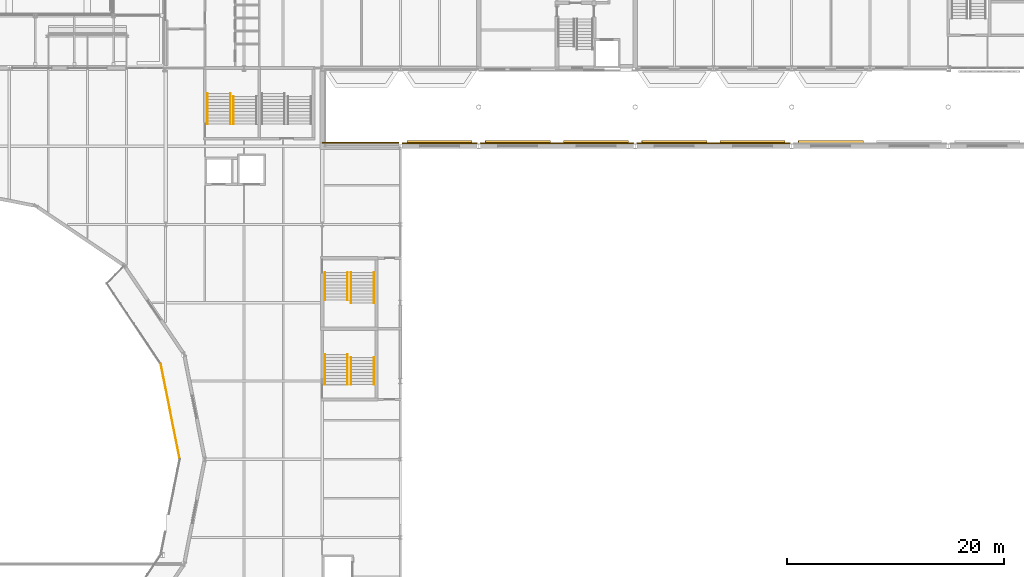
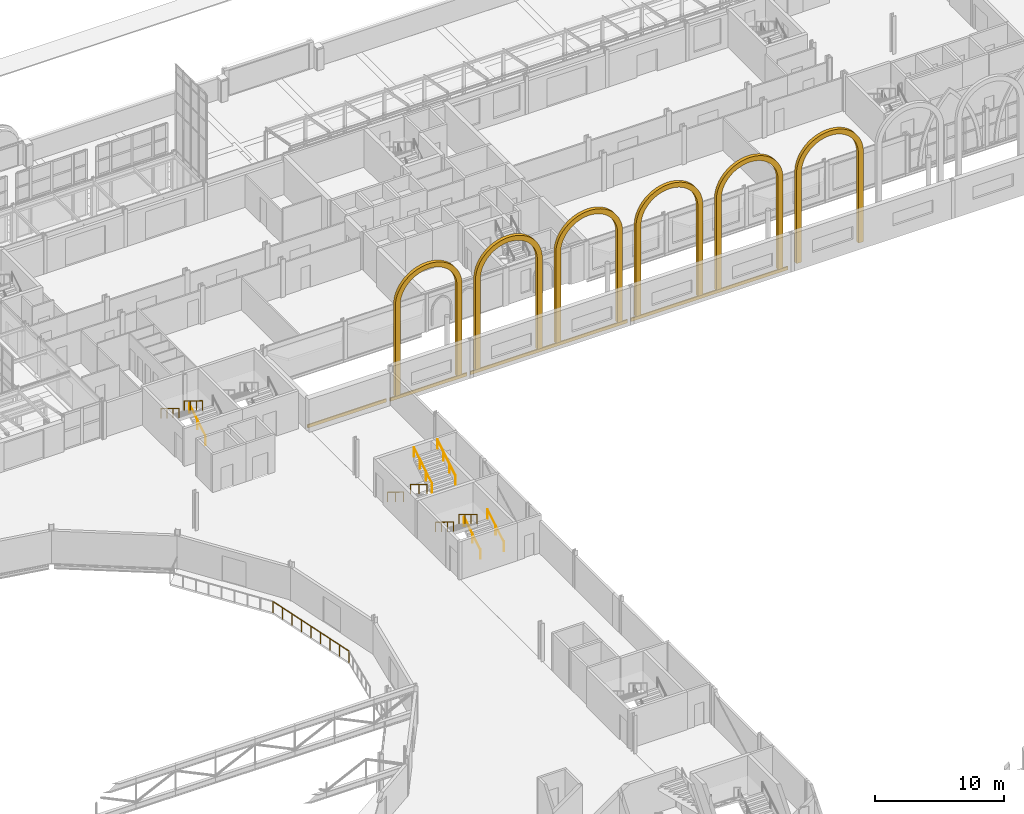
# One storey, part 117 of 143: 12 railings, 10 coverings.
"""IFC4 building model written with IfcOpenShell, lengths in metres."""

from ifc_helpers import new_model, si_unit, direction, frame, origin, origin_2d, place, context, subcontext, project, spatial, polyline, rectangle, circle, outline, extrude, material, layer, layer_set, type_object, element, save


model = new_model("IFC4")

# Units and contexts
model_context = context("Model", 3, precision=1e-05, world=origin(), true_north=direction((0.0, 1.0)))
body_context = subcontext(model_context, "Body", "Model", "MODEL_VIEW")
ifc_project = project(units=[si_unit("LENGTHUNIT", "METRE"), si_unit("AREAUNIT", "SQUARE_METRE"), si_unit("VOLUMEUNIT", "CUBIC_METRE"), si_unit("PLANEANGLEUNIT", "RADIAN"), si_unit("MASSUNIT", "GRAM", prefix="KILO")], contexts=[model_context])

# Site, building, storey
site_placement = place(None, origin())
site = spatial("IfcSite", under=ifc_project, at=site_placement, CompositionType="ELEMENT")
building_placement = place(site_placement, origin())
building = spatial("IfcBuilding", under=site, at=building_placement, Name="Kupolbacken Congress Centre", CompositionType="ELEMENT")
storey_placement = place(building_placement, frame((0.0, 0.0, 7.199951171875)))
storey = spatial("IfcBuildingStorey", under=building, at=storey_placement, Name="L02", CompositionType="ELEMENT", Elevation=7.199951171875)

# Coverings
ifc_material_1 = material(Name="Brick cladding", Category="masonry")
ifc_layer_1 = layer(ifc_material_1, 0.10791015625)
ifc_layer_set_1 = layer_set([ifc_layer_1], Name="Brick cladding")
covering_type_1 = type_object("IfcCoveringType", Name="CV2 brick cladding band 108", PredefinedType="CLADDING", material=ifc_layer_set_1)
for number, where, z_axis, x_axis, name in (
    (1, (115.199951171875, 115.464111328125, 0.0), (0.0, 0.0, 1.0), (-1.0, 0.0, 0.0), "E/H/N/L02/262/band"),
    (2, (100.800048828125, 115.464111328125, 0.0), (0.0, 0.0, 1.0), (-1.0, 0.0, 0.0), "E/H/N/L02/263/band"),
):
    element("IfcCovering", number, at=place(storey_placement, frame(where, z_axis=z_axis, x_axis=x_axis)), inside=storey, type_object=covering_type_1, Name=name, PredefinedType="CLADDING", context=body_context, shape_type="SweptSolid", body=[
        extrude(rectangle(XDim=14.10009765625, YDim=0.10791015625, at=origin_2d()), origin(), (0.0, 0.0, 1.0), 0.300048828125),
    ])
covering_1_placement = place(storey_placement, frame((90.0, 115.464111328125, 0.0), z_axis=(0.0, 0.0, 1.0), x_axis=(-1.0, 0.0, 0.0)))
element("IfcCovering", 3, at=covering_1_placement, inside=storey, type_object=covering_type_1, Name="E/H/N/L02/264/band", PredefinedType="CLADDING", context=body_context, shape_type="SweptSolid", body=[
    extrude(rectangle(XDim=6.89990234375, YDim=0.10791015625, at=origin_2d()), origin(), (0.0, 0.0, 1.0), 0.300048828125),
])
covering_2_placement = place(storey_placement, frame((82.72509765625, 115.533935546875, 0.0), z_axis=(0.0, 0.0, 1.0), x_axis=(-1.0, 0.0, 0.0)))
element("IfcCovering", 4, at=covering_2_placement, inside=storey, type_object=covering_type_1, Name="E/LINK/N/L02/274/band", PredefinedType="CLADDING", context=body_context, shape_type="SweptSolid", body=[
    extrude(rectangle(XDim=7.050048828125, YDim=0.10791015625, at=origin_2d()), origin(), (0.0, 0.0, 1.0), 0.300048828125),
])
ifc_material_2 = material(Name="Limestone cladding", Category="masonry")
ifc_layer_2 = layer(ifc_material_2, 0.300048828125)
ifc_layer_set_2 = layer_set([ifc_layer_2], Name="Limestone cladding")
covering_type_2 = type_object("IfcCoveringType", Name="CV6 limestone arcade arch frame 300", PredefinedType="CLADDING", material=ifc_layer_set_2)
covering_3_placement = place(storey_placement, frame((87.0, 115.409912109375, 0.300048828125), z_axis=(0.0, 1.0, 0.0), x_axis=(-1.0, 0.0, 0.0)))
element("IfcCovering", 5, at=covering_3_placement, inside=storey, type_object=covering_type_2, Name="F/HR/H/N/frame/00", PredefinedType="CLADDING", context=body_context, shape_type="SweptSolid", body=[
    extrude(outline(polyline([(0.0, 0.0), (0.0, 8.550048828125), (-0.018798828125, 8.885986328125), (-0.0751953125, 9.217529296875), (-0.16845703125, 9.540771484375), (-0.297119140625, 9.851806640625), (-0.459716796875, 10.14599609375), (-0.654541015625, 10.42041015625), (-0.878662109375, 10.67138671875), (-1.12939453125, 10.8955078125), (-1.40380859375, 11.090087890625), (-1.6982421875, 11.2529296875), (-2.00927734375, 11.381591796875), (-2.33251953125, 11.474853515625), (-2.6640625, 11.531005859375), (-3.0, 11.550048828125), (-3.3359375, 11.531005859375), (-3.66748046875, 11.474853515625), (-3.99072265625, 11.381591796875), (-4.3017578125, 11.2529296875), (-4.59619140625, 11.090087890625), (-4.87060546875, 10.8955078125), (-5.121337890625, 10.67138671875), (-5.345458984375, 10.42041015625), (-5.540283203125, 10.14599609375), (-5.702880859375, 9.851806640625), (-5.83154296875, 9.540771484375), (-5.9248046875, 9.217529296875), (-5.981201171875, 8.885986328125), (-6.0, 8.550048828125), (-6.0, 0.0), (-5.550048828125, 0.0), (-5.550048828125, 8.550048828125), (-5.533935546875, 8.83544921875), (-5.486083984375, 9.117431640625), (-5.406982421875, 9.39208984375), (-5.297607421875, 9.656494140625), (-5.1591796875, 9.90673828125), (-4.99365234375, 10.139892578125), (-4.802978515625, 10.35302734375), (-4.58984375, 10.543701171875), (-4.356689453125, 10.708984375), (-4.1064453125, 10.847412109375), (-3.84228515625, 10.956787109375), (-3.5673828125, 11.0361328125), (-3.285400390625, 11.083984375), (-3.0, 11.10009765625), (-2.714599609375, 11.083984375), (-2.4326171875, 11.0361328125), (-2.15771484375, 10.956787109375), (-1.8935546875, 10.847412109375), (-1.643310546875, 10.708984375), (-1.41015625, 10.543701171875), (-1.197021484375, 10.35302734375), (-1.00634765625, 10.139892578125), (-0.8408203125, 9.90673828125), (-0.702392578125, 9.656494140625), (-0.593017578125, 9.39208984375), (-0.513916015625, 9.117431640625), (-0.466064453125, 8.83544921875), (-0.449951171875, 8.550048828125), (-0.449951171875, 0.0), (0.0, 0.0)])), origin(), (0.0, 0.0, 1.0), 0.300048828125),
])
covering_4_placement = place(storey_placement, frame((94.199951171875, 115.409912109375, 0.300048828125), z_axis=(0.0, 1.0, 0.0), x_axis=(-1.0, 0.0, 0.0)))
element("IfcCovering", 6, at=covering_4_placement, inside=storey, type_object=covering_type_2, Name="F/HR/H/N/frame/01", PredefinedType="CLADDING", context=body_context, shape_type="SweptSolid", body=[
    extrude(outline(polyline([(0.0, 0.0), (0.0, 8.550048828125), (-0.018798828125, 8.885986328125), (-0.0751953125, 9.217529296875), (-0.16845703125, 9.540771484375), (-0.297119140625, 9.851806640625), (-0.459716796875, 10.14599609375), (-0.654541015625, 10.42041015625), (-0.878662109375, 10.67138671875), (-1.12939453125, 10.8955078125), (-1.40380859375, 11.090087890625), (-1.6982421875, 11.2529296875), (-2.00927734375, 11.381591796875), (-2.33251953125, 11.474853515625), (-2.6640625, 11.531005859375), (-3.0, 11.550048828125), (-3.3359375, 11.531005859375), (-3.66748046875, 11.474853515625), (-3.99072265625, 11.381591796875), (-4.3017578125, 11.2529296875), (-4.59619140625, 11.090087890625), (-4.87060546875, 10.8955078125), (-5.121337890625, 10.67138671875), (-5.345458984375, 10.42041015625), (-5.540283203125, 10.14599609375), (-5.702880859375, 9.851806640625), (-5.83154296875, 9.540771484375), (-5.9248046875, 9.217529296875), (-5.981201171875, 8.885986328125), (-6.0, 8.550048828125), (-6.0, 0.0), (-5.550048828125, 0.0), (-5.550048828125, 8.550048828125), (-5.533935546875, 8.83544921875), (-5.486083984375, 9.117431640625), (-5.406982421875, 9.39208984375), (-5.297607421875, 9.656494140625), (-5.1591796875, 9.90673828125), (-4.99365234375, 10.139892578125), (-4.802978515625, 10.35302734375), (-4.58984375, 10.543701171875), (-4.356689453125, 10.708984375), (-4.1064453125, 10.847412109375), (-3.84228515625, 10.956787109375), (-3.5673828125, 11.0361328125), (-3.285400390625, 11.083984375), (-3.0, 11.10009765625), (-2.714599609375, 11.083984375), (-2.4326171875, 11.0361328125), (-2.15771484375, 10.956787109375), (-1.8935546875, 10.847412109375), (-1.643310546875, 10.708984375), (-1.41015625, 10.543701171875), (-1.197021484375, 10.35302734375), (-1.00634765625, 10.139892578125), (-0.8408203125, 9.90673828125), (-0.702392578125, 9.656494140625), (-0.593017578125, 9.39208984375), (-0.513916015625, 9.117431640625), (-0.466064453125, 8.83544921875), (-0.449951171875, 8.550048828125), (-0.449951171875, 0.0), (0.0, 0.0)])), origin(), (0.0, 0.0, 1.0), 0.300048828125),
])
covering_5_placement = place(storey_placement, frame((101.39990234375, 115.409912109375, 0.300048828125), z_axis=(0.0, 1.0, 0.0), x_axis=(-1.0, 0.0, 0.0)))
element("IfcCovering", 7, at=covering_5_placement, inside=storey, type_object=covering_type_2, Name="F/HR/H/N/frame/02", PredefinedType="CLADDING", context=body_context, shape_type="SweptSolid", body=[
    extrude(outline(polyline([(0.0, 0.0), (0.0, 8.550048828125), (-0.018798828125, 8.885986328125), (-0.0751953125, 9.217529296875), (-0.16845703125, 9.540771484375), (-0.297119140625, 9.851806640625), (-0.459716796875, 10.14599609375), (-0.654541015625, 10.42041015625), (-0.878662109375, 10.67138671875), (-1.12939453125, 10.8955078125), (-1.40380859375, 11.090087890625), (-1.6982421875, 11.2529296875), (-2.00927734375, 11.381591796875), (-2.33251953125, 11.474853515625), (-2.6640625, 11.531005859375), (-3.0, 11.550048828125), (-3.3359375, 11.531005859375), (-3.66748046875, 11.474853515625), (-3.99072265625, 11.381591796875), (-4.3017578125, 11.2529296875), (-4.59619140625, 11.090087890625), (-4.87060546875, 10.8955078125), (-5.121337890625, 10.67138671875), (-5.345458984375, 10.42041015625), (-5.540283203125, 10.14599609375), (-5.702880859375, 9.851806640625), (-5.83154296875, 9.540771484375), (-5.9248046875, 9.217529296875), (-5.981201171875, 8.885986328125), (-6.0, 8.550048828125), (-6.0, 0.0), (-5.550048828125, 0.0), (-5.550048828125, 8.550048828125), (-5.533935546875, 8.83544921875), (-5.486083984375, 9.117431640625), (-5.406982421875, 9.39208984375), (-5.297607421875, 9.656494140625), (-5.1591796875, 9.90673828125), (-4.99365234375, 10.139892578125), (-4.802978515625, 10.35302734375), (-4.58984375, 10.543701171875), (-4.356689453125, 10.708984375), (-4.1064453125, 10.847412109375), (-3.84228515625, 10.956787109375), (-3.5673828125, 11.0361328125), (-3.285400390625, 11.083984375), (-3.0, 11.10009765625), (-2.714599609375, 11.083984375), (-2.4326171875, 11.0361328125), (-2.15771484375, 10.956787109375), (-1.8935546875, 10.847412109375), (-1.643310546875, 10.708984375), (-1.41015625, 10.543701171875), (-1.197021484375, 10.35302734375), (-1.00634765625, 10.139892578125), (-0.8408203125, 9.90673828125), (-0.702392578125, 9.656494140625), (-0.593017578125, 9.39208984375), (-0.513916015625, 9.117431640625), (-0.466064453125, 8.83544921875), (-0.449951171875, 8.550048828125), (-0.449951171875, 0.0), (0.0, 0.0)])), origin(), (0.0, 0.0, 1.0), 0.300048828125),
])
covering_6_placement = place(storey_placement, frame((108.60009765625, 115.409912109375, 0.300048828125), z_axis=(0.0, 1.0, 0.0), x_axis=(-1.0, 0.0, 0.0)))
element("IfcCovering", 8, at=covering_6_placement, inside=storey, type_object=covering_type_2, Name="F/HR/H/N/frame/03", PredefinedType="CLADDING", context=body_context, shape_type="SweptSolid", body=[
    extrude(outline(polyline([(0.0, 0.0), (0.0, 8.550048828125), (-0.018798828125, 8.885986328125), (-0.0751953125, 9.217529296875), (-0.16845703125, 9.540771484375), (-0.297119140625, 9.851806640625), (-0.459716796875, 10.14599609375), (-0.654541015625, 10.42041015625), (-0.878662109375, 10.67138671875), (-1.12939453125, 10.8955078125), (-1.40380859375, 11.090087890625), (-1.6982421875, 11.2529296875), (-2.00927734375, 11.381591796875), (-2.33251953125, 11.474853515625), (-2.6640625, 11.531005859375), (-3.0, 11.550048828125), (-3.3359375, 11.531005859375), (-3.66748046875, 11.474853515625), (-3.99072265625, 11.381591796875), (-4.3017578125, 11.2529296875), (-4.59619140625, 11.090087890625), (-4.87060546875, 10.8955078125), (-5.121337890625, 10.67138671875), (-5.345458984375, 10.42041015625), (-5.540283203125, 10.14599609375), (-5.702880859375, 9.851806640625), (-5.83154296875, 9.540771484375), (-5.9248046875, 9.217529296875), (-5.981201171875, 8.885986328125), (-6.0, 8.550048828125), (-6.0, 0.0), (-5.550048828125, 0.0), (-5.550048828125, 8.550048828125), (-5.533935546875, 8.83544921875), (-5.486083984375, 9.117431640625), (-5.406982421875, 9.39208984375), (-5.297607421875, 9.656494140625), (-5.1591796875, 9.90673828125), (-4.99365234375, 10.139892578125), (-4.802978515625, 10.35302734375), (-4.58984375, 10.543701171875), (-4.356689453125, 10.708984375), (-4.1064453125, 10.847412109375), (-3.84228515625, 10.956787109375), (-3.5673828125, 11.0361328125), (-3.285400390625, 11.083984375), (-3.0, 11.10009765625), (-2.714599609375, 11.083984375), (-2.4326171875, 11.0361328125), (-2.15771484375, 10.956787109375), (-1.8935546875, 10.847412109375), (-1.643310546875, 10.708984375), (-1.41015625, 10.543701171875), (-1.197021484375, 10.35302734375), (-1.00634765625, 10.139892578125), (-0.8408203125, 9.90673828125), (-0.702392578125, 9.656494140625), (-0.593017578125, 9.39208984375), (-0.513916015625, 9.117431640625), (-0.466064453125, 8.83544921875), (-0.449951171875, 8.550048828125), (-0.449951171875, 0.0), (0.0, 0.0)])), origin(), (0.0, 0.0, 1.0), 0.300048828125),
])
covering_7_placement = place(storey_placement, frame((115.800048828125, 115.409912109375, 0.300048828125), z_axis=(0.0, 1.0, 0.0), x_axis=(-1.0, 0.0, 0.0)))
element("IfcCovering", 9, at=covering_7_placement, inside=storey, type_object=covering_type_2, Name="F/HR/H/N/frame/04", PredefinedType="CLADDING", context=body_context, shape_type="SweptSolid", body=[
    extrude(outline(polyline([(0.0, 0.0), (0.0, 8.550048828125), (-0.018798828125, 8.885986328125), (-0.0751953125, 9.217529296875), (-0.16845703125, 9.540771484375), (-0.297119140625, 9.851806640625), (-0.459716796875, 10.14599609375), (-0.654541015625, 10.42041015625), (-0.878662109375, 10.67138671875), (-1.12939453125, 10.8955078125), (-1.40380859375, 11.090087890625), (-1.6982421875, 11.2529296875), (-2.00927734375, 11.381591796875), (-2.33251953125, 11.474853515625), (-2.6640625, 11.531005859375), (-3.0, 11.550048828125), (-3.3359375, 11.531005859375), (-3.66748046875, 11.474853515625), (-3.99072265625, 11.381591796875), (-4.3017578125, 11.2529296875), (-4.59619140625, 11.090087890625), (-4.87060546875, 10.8955078125), (-5.121337890625, 10.67138671875), (-5.345458984375, 10.42041015625), (-5.540283203125, 10.14599609375), (-5.702880859375, 9.851806640625), (-5.83154296875, 9.540771484375), (-5.9248046875, 9.217529296875), (-5.981201171875, 8.885986328125), (-6.0, 8.550048828125), (-6.0, 0.0), (-5.550048828125, 0.0), (-5.550048828125, 8.550048828125), (-5.533935546875, 8.83544921875), (-5.486083984375, 9.117431640625), (-5.406982421875, 9.39208984375), (-5.297607421875, 9.656494140625), (-5.1591796875, 9.90673828125), (-4.99365234375, 10.139892578125), (-4.802978515625, 10.35302734375), (-4.58984375, 10.543701171875), (-4.356689453125, 10.708984375), (-4.1064453125, 10.847412109375), (-3.84228515625, 10.956787109375), (-3.5673828125, 11.0361328125), (-3.285400390625, 11.083984375), (-3.0, 11.10009765625), (-2.714599609375, 11.083984375), (-2.4326171875, 11.0361328125), (-2.15771484375, 10.956787109375), (-1.8935546875, 10.847412109375), (-1.643310546875, 10.708984375), (-1.41015625, 10.543701171875), (-1.197021484375, 10.35302734375), (-1.00634765625, 10.139892578125), (-0.8408203125, 9.90673828125), (-0.702392578125, 9.656494140625), (-0.593017578125, 9.39208984375), (-0.513916015625, 9.117431640625), (-0.466064453125, 8.83544921875), (-0.449951171875, 8.550048828125), (-0.449951171875, 0.0), (0.0, 0.0)])), origin(), (0.0, 0.0, 1.0), 0.300048828125),
])
covering_8_placement = place(storey_placement, frame((123.0, 115.409912109375, 0.300048828125), z_axis=(0.0, 1.0, 0.0), x_axis=(-1.0, 0.0, 0.0)))
element("IfcCovering", 10, at=covering_8_placement, inside=storey, type_object=covering_type_2, Name="F/HR/H/N/frame/05", PredefinedType="CLADDING", context=body_context, shape_type="SweptSolid", body=[
    extrude(outline(polyline([(0.0, 0.0), (0.0, 8.550048828125), (-0.018798828125, 8.885986328125), (-0.0751953125, 9.217529296875), (-0.16845703125, 9.540771484375), (-0.297119140625, 9.851806640625), (-0.459716796875, 10.14599609375), (-0.654541015625, 10.42041015625), (-0.878662109375, 10.67138671875), (-1.12939453125, 10.8955078125), (-1.40380859375, 11.090087890625), (-1.6982421875, 11.2529296875), (-2.00927734375, 11.381591796875), (-2.33251953125, 11.474853515625), (-2.6640625, 11.531005859375), (-3.0, 11.550048828125), (-3.3359375, 11.531005859375), (-3.66748046875, 11.474853515625), (-3.99072265625, 11.381591796875), (-4.3017578125, 11.2529296875), (-4.59619140625, 11.090087890625), (-4.87060546875, 10.8955078125), (-5.121337890625, 10.67138671875), (-5.345458984375, 10.42041015625), (-5.540283203125, 10.14599609375), (-5.702880859375, 9.851806640625), (-5.83154296875, 9.540771484375), (-5.9248046875, 9.217529296875), (-5.981201171875, 8.885986328125), (-6.0, 8.550048828125), (-6.0, 0.0), (-5.550048828125, 0.0), (-5.550048828125, 8.550048828125), (-5.533935546875, 8.83544921875), (-5.486083984375, 9.117431640625), (-5.406982421875, 9.39208984375), (-5.297607421875, 9.656494140625), (-5.1591796875, 9.90673828125), (-4.99365234375, 10.139892578125), (-4.802978515625, 10.35302734375), (-4.58984375, 10.543701171875), (-4.356689453125, 10.708984375), (-4.1064453125, 10.847412109375), (-3.84228515625, 10.956787109375), (-3.5673828125, 11.0361328125), (-3.285400390625, 11.083984375), (-3.0, 11.10009765625), (-2.714599609375, 11.083984375), (-2.4326171875, 11.0361328125), (-2.15771484375, 10.956787109375), (-1.8935546875, 10.847412109375), (-1.643310546875, 10.708984375), (-1.41015625, 10.543701171875), (-1.197021484375, 10.35302734375), (-1.00634765625, 10.139892578125), (-0.8408203125, 9.90673828125), (-0.702392578125, 9.656494140625), (-0.593017578125, 9.39208984375), (-0.513916015625, 9.117431640625), (-0.466064453125, 8.83544921875), (-0.449951171875, 8.550048828125), (-0.449951171875, 0.0), (0.0, 0.0)])), origin(), (0.0, 0.0, 1.0), 0.300048828125),
])

# Railings
ifc_material_3 = material(Name="Steel S235", Category="steel")
railing_type_1 = type_object("IfcRailingType", Name="RL1 guard 1100 steel balustrade", PredefinedType="GUARDRAIL", material=ifc_material_3)
railing_1_placement = place(storey_placement, frame((66.095703125, 86.39990234375, 0.0)))
element("IfcRailing", 11, at=railing_1_placement, inside=storey, type_object=railing_type_1, Name="PD/L02/ringguard/3600", PredefinedType="GUARDRAIL", context=body_context, shape_type="SweptSolid", body=[
    extrude(circle(Radius=0.02392578125, at=origin_2d()), frame((0.0, 0.0, 1.076171875), z_axis=(-0.195096474676, 0.980784056543, 0.0), x_axis=(-0.980784056543, -0.195096474676, 0.0)), (0.0, 0.0, 1.0), 8.93359375),
    extrude(circle(Radius=0.02099609375, at=origin_2d()), origin(), (0.0, 0.0, 1.0), 1.052001953125),
    extrude(circle(Radius=0.02099609375, at=origin_2d()), frame((-0.2177734375, 1.09521484375, 0.0)), (0.0, 0.0, 1.0), 1.052001953125),
    extrude(circle(Radius=0.02099609375, at=origin_2d()), frame((-0.435791015625, 2.1904296875, 0.0)), (0.0, 0.0, 1.0), 1.052001953125),
    extrude(circle(Radius=0.02099609375, at=origin_2d()), frame((-0.653564453125, 3.28564453125, 0.0)), (0.0, 0.0, 1.0), 1.052001953125),
    extrude(circle(Radius=0.02099609375, at=origin_2d()), frame((-0.87158203125, 4.380859375, 0.0)), (0.0, 0.0, 1.0), 1.052001953125),
    extrude(circle(Radius=0.02099609375, at=origin_2d()), frame((-1.08935546875, 5.476318359375, 0.0)), (0.0, 0.0, 1.0), 1.052001953125),
    extrude(circle(Radius=0.02099609375, at=origin_2d()), frame((-1.30712890625, 6.571533203125, 0.0)), (0.0, 0.0, 1.0), 1.052001953125),
    extrude(circle(Radius=0.02099609375, at=origin_2d()), frame((-1.525146484375, 7.666748046875, 0.0)), (0.0, 0.0, 1.0), 1.052001953125),
    extrude(circle(Radius=0.02099609375, at=origin_2d()), frame((-1.742919921875, 8.761962890625, 0.0)), (0.0, 0.0, 1.0), 1.052001953125),
])
ifc_material_4 = material(Name="Steel S235", Category="steel")
railing_type_2 = type_object("IfcRailingType", Name="RL3 handrail wall-mounted 900", PredefinedType="HANDRAIL", material=ifc_material_4)
railing_2_placement = place(storey_placement, frame((71.050048828125, 117.2548828125, 0.17138671875)))
element("IfcRailing", 12, at=railing_2_placement, inside=storey, type_object=railing_type_2, Name="C/stair/PS1NE/L02/HR1L", PredefinedType="HANDRAIL", context=body_context, shape_type="SweptSolid", body=[
    extrude(circle(Radius=0.02392578125, at=origin_2d()), frame((0.0, 0.0, 0.8759765625), z_axis=(0.0, 0.852836285881, 0.522178388565), x_axis=(-1.0, 0.0, 0.0)), (0.0, 0.0, 1.0), 2.954833984375),
    extrude(circle(Radius=0.02099609375, at=origin_2d()), origin(), (0.0, 0.0, 1.0), 0.851806640625),
    extrude(circle(Radius=0.02099609375, at=origin_2d()), frame((0.0, 1.260009765625, 0.771484375)), (0.0, 0.0, 1.0), 0.851806640625),
    extrude(circle(Radius=0.02099609375, at=origin_2d()), frame((0.0, 2.52001953125, 1.54296875)), (0.0, 0.0, 1.0), 0.851806640625),
])
for number, where, name in (
    (13, (70.75, 120.054931640625, 1.8857421875), "C/stair/PS1NE/L02/HR2L"),
    (14, (68.64990234375, 120.054931640625, 1.8857421875), "C/stair/PS1NE/L02/HR2R"),
):
    element("IfcRailing", number, at=place(storey_placement, frame(where)), inside=storey, type_object=railing_type_2, Name=name, PredefinedType="HANDRAIL", context=body_context, shape_type="SweptSolid", body=[
        extrude(circle(Radius=0.02392578125, at=origin_2d()), frame((0.0, 0.0, 0.8759765625), z_axis=(0.0, -0.852845897599, 0.522162690116), x_axis=(1.0, 0.0, 0.0)), (0.0, 0.0, 1.0), 3.283203125),
        extrude(circle(Radius=0.02099609375, at=origin_2d()), origin(), (0.0, 0.0, 1.0), 0.851806640625),
        extrude(circle(Radius=0.02099609375, at=origin_2d()), frame((0.0, -0.933349609375, 0.571533203125)), (0.0, 0.0, 1.0), 0.851806640625),
        extrude(circle(Radius=0.02099609375, at=origin_2d()), frame((0.0, -1.86669921875, 1.142822265625)), (0.0, 0.0, 1.0), 0.851806640625),
        extrude(circle(Radius=0.02099609375, at=origin_2d()), frame((0.0, -2.800048828125, 1.71435546875)), (0.0, 0.0, 1.0), 0.851806640625),
    ])
for number, where, name in (
    (15, (81.85009765625, 93.2548828125, 0.17138671875), "C/stair/LS4/L02/HR1L"),
    (16, (83.949951171875, 93.2548828125, 0.17138671875), "C/stair/LS4/L02/HR1R"),
):
    element("IfcRailing", number, at=place(storey_placement, frame(where)), inside=storey, type_object=railing_type_2, Name=name, PredefinedType="HANDRAIL", context=body_context, shape_type="SweptSolid", body=[
        extrude(circle(Radius=0.02392578125, at=origin_2d()), frame((0.0, 0.0, 0.8759765625), z_axis=(0.0, 0.852836285881, 0.522178388565), x_axis=(-1.0, 0.0, 0.0)), (0.0, 0.0, 1.0), 2.954833984375),
        extrude(circle(Radius=0.02099609375, at=origin_2d()), origin(), (0.0, 0.0, 1.0), 0.851806640625),
        extrude(circle(Radius=0.02099609375, at=origin_2d()), frame((0.0, 1.260009765625, 0.771484375)), (0.0, 0.0, 1.0), 0.851806640625),
        extrude(circle(Radius=0.02099609375, at=origin_2d()), frame((0.0, 2.52001953125, 1.54296875)), (0.0, 0.0, 1.0), 0.851806640625),
    ])
for number, where, name in (
    (17, (81.550048828125, 96.054931640625, 1.8857421875), "C/stair/LS4/L02/HR2L"),
    (18, (79.449951171875, 96.054931640625, 1.8857421875), "C/stair/LS4/L02/HR2R"),
):
    element("IfcRailing", number, at=place(storey_placement, frame(where)), inside=storey, type_object=railing_type_2, Name=name, PredefinedType="HANDRAIL", context=body_context, shape_type="SweptSolid", body=[
        extrude(circle(Radius=0.02392578125, at=origin_2d()), frame((0.0, 0.0, 0.8759765625), z_axis=(0.0, -0.852845897599, 0.522162690116), x_axis=(1.0, 0.0, 0.0)), (0.0, 0.0, 1.0), 3.283203125),
        extrude(circle(Radius=0.02099609375, at=origin_2d()), origin(), (0.0, 0.0, 1.0), 0.851806640625),
        extrude(circle(Radius=0.02099609375, at=origin_2d()), frame((0.0, -0.933349609375, 0.571533203125)), (0.0, 0.0, 1.0), 0.851806640625),
        extrude(circle(Radius=0.02099609375, at=origin_2d()), frame((0.0, -1.86669921875, 1.142822265625)), (0.0, 0.0, 1.0), 0.851806640625),
        extrude(circle(Radius=0.02099609375, at=origin_2d()), frame((0.0, -2.800048828125, 1.71435546875)), (0.0, 0.0, 1.0), 0.851806640625),
    ])
for number, where, name in (
    (19, (81.550048828125, 103.570068359375, 0.17138671875), "C/stair/LS2/L02/HR1L"),
    (20, (79.449951171875, 103.570068359375, 0.17138671875), "C/stair/LS2/L02/HR1R"),
):
    element("IfcRailing", number, at=place(storey_placement, frame(where)), inside=storey, type_object=railing_type_2, Name=name, PredefinedType="HANDRAIL", context=body_context, shape_type="SweptSolid", body=[
        extrude(circle(Radius=0.02392578125, at=origin_2d()), frame((0.0, 0.0, 0.8759765625), z_axis=(0.0, -0.852836285881, 0.522178388565), x_axis=(1.0, 0.0, 0.0)), (0.0, 0.0, 1.0), 2.954833984375),
        extrude(circle(Radius=0.02099609375, at=origin_2d()), origin(), (0.0, 0.0, 1.0), 0.851806640625),
        extrude(circle(Radius=0.02099609375, at=origin_2d()), frame((0.0, -1.260009765625, 0.771484375)), (0.0, 0.0, 1.0), 0.851806640625),
        extrude(circle(Radius=0.02099609375, at=origin_2d()), frame((0.0, -2.52001953125, 1.54296875)), (0.0, 0.0, 1.0), 0.851806640625),
    ])
for number, where, name in (
    (21, (81.85009765625, 100.77001953125, 1.8857421875), "C/stair/LS2/L02/HR2L"),
    (22, (83.949951171875, 100.77001953125, 1.8857421875), "C/stair/LS2/L02/HR2R"),
):
    element("IfcRailing", number, at=place(storey_placement, frame(where)), inside=storey, type_object=railing_type_2, Name=name, PredefinedType="HANDRAIL", context=body_context, shape_type="SweptSolid", body=[
        extrude(circle(Radius=0.02392578125, at=origin_2d()), frame((0.0, 0.0, 0.8759765625), z_axis=(0.0, 0.852845897599, 0.522162690116), x_axis=(-1.0, 0.0, 0.0)), (0.0, 0.0, 1.0), 3.283203125),
        extrude(circle(Radius=0.02099609375, at=origin_2d()), origin(), (0.0, 0.0, 1.0), 0.851806640625),
        extrude(circle(Radius=0.02099609375, at=origin_2d()), frame((0.0, 0.933349609375, 0.571533203125)), (0.0, 0.0, 1.0), 0.851806640625),
        extrude(circle(Radius=0.02099609375, at=origin_2d()), frame((0.0, 1.86669921875, 1.142822265625)), (0.0, 0.0, 1.0), 0.851806640625),
        extrude(circle(Radius=0.02099609375, at=origin_2d()), frame((0.0, 2.800048828125, 1.71435546875)), (0.0, 0.0, 1.0), 0.851806640625),
    ])

save(model, "model.ifc")
